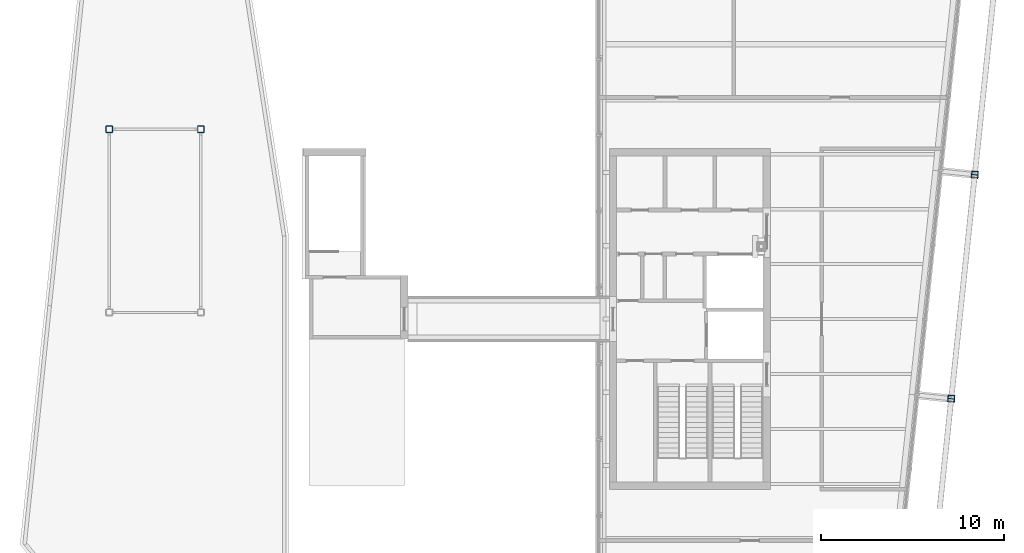
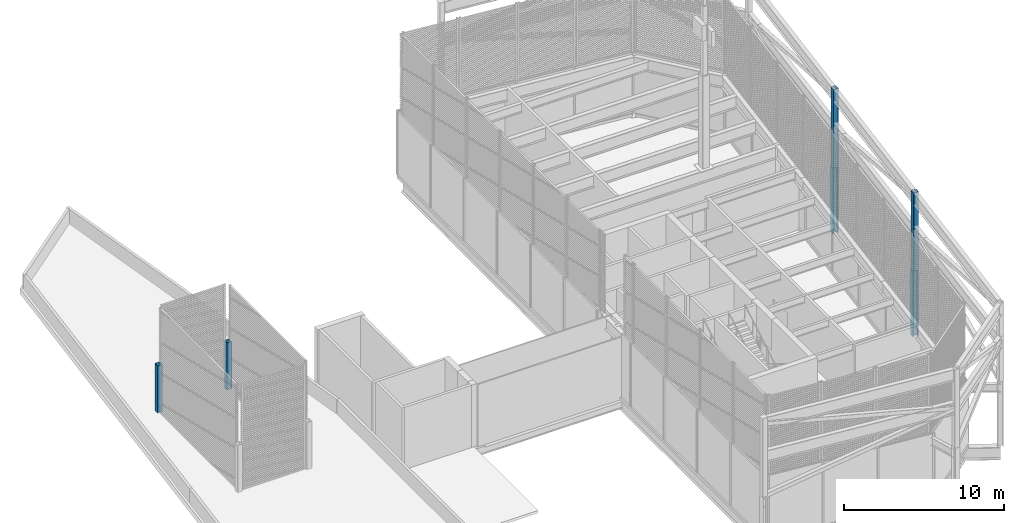
# One storey, part 2 of 11: 6 columns.
"""IFC4 building model written with IfcOpenShell, lengths in metres."""

from ifc_helpers import new_model, si_unit, direction, frame, origin, origin_2d, place, context, subcontext, project, spatial, hollow_rectangle, i_section, extrude, material, material_profile, profile_set, type_object, element, save


model = new_model("IFC4")

# Units and contexts
model_context = context("Model", 3, precision=1e-05, world=origin(), true_north=direction((0.0, 1.0)))
body_context = subcontext(model_context, "Body", "Model", "MODEL_VIEW")
ifc_project = project(units=[si_unit("LENGTHUNIT", "METRE"), si_unit("AREAUNIT", "SQUARE_METRE"), si_unit("VOLUMEUNIT", "CUBIC_METRE"), si_unit("PLANEANGLEUNIT", "RADIAN"), si_unit("MASSUNIT", "GRAM", prefix="KILO")], contexts=[model_context])

# Site, building, storey
site_placement = place(None, origin())
site = spatial("IfcSite", under=ifc_project, at=site_placement, CompositionType="ELEMENT")
building_placement = place(site_placement, origin())
building = spatial("IfcBuilding", under=site, at=building_placement, Name="Millrace Tower", CompositionType="ELEMENT")
storey_placement = place(building_placement, frame((0.0, 0.0, 357.10009765625)))
storey = spatial("IfcBuildingStorey", under=building, at=storey_placement, Name="L82", CompositionType="ELEMENT", Elevation=357.10009765625)

# Columns
ifc_material_1 = material(Name="Steel ASTM A500 Grade C", Category="steel")
ifc_material_profile_1 = material_profile(ifc_material_1, hollow_rectangle(XDim=0.355712890625, YDim=0.355712890625, WallThickness=0.015869140625, InnerFilletRadius=0.008056640625, OuterFilletRadius=0.02392578125, at=origin_2d()))
ifc_profile_set_1 = profile_set([ifc_material_profile_1], Name="Steel ASTM A500 Grade C")
column_type_1 = type_object("IfcColumnType", Name="CROWN FRAME post HSS14x14x5/8", PredefinedType="COLUMN", material=ifc_profile_set_1)
for number, where, z_axis, x_axis, name in (
    (1, (-16.814208984375, 10.363037109375, 1.419921875), (0.0, 0.0, 1.0), (1.0, 0.0, 0.0), "CROWN FRAME lantern post 3"),
    (2, (-21.814208984375, 10.363037109375, 1.419921875), (0.0, 0.0, 1.0), (1.0, 0.0, 0.0), "CROWN FRAME lantern post 4"),
):
    element("IfcColumn", number, at=place(storey_placement, frame(where, z_axis=z_axis, x_axis=x_axis)), inside=storey, type_object=column_type_1, Name=name, PredefinedType="COLUMN", context=body_context, shape_type="SweptSolid", body=[
        extrude(hollow_rectangle(XDim=0.355712890625, YDim=0.355712890625, WallThickness=0.015869140625, InnerFilletRadius=0.008056640625, OuterFilletRadius=0.02392578125, at=origin_2d()), origin(), (0.0, 0.0, 1.0), 3.580078125),
    ])
for number, where, z_axis, x_axis, name in (
    (3, (24.171630859375, -4.353271484375, 5.0), (0.0, 0.0, 1.0), (1.0, 0.0, 0.0), "CROWN FRAME post E.4"),
    (4, (25.457275390625, 7.879150390625, 5.0), (0.0, 0.0, 1.0), (1.0, 0.0, 0.0), "CROWN FRAME post E.5"),
):
    element("IfcColumn", number, at=place(storey_placement, frame(where, z_axis=z_axis, x_axis=x_axis)), inside=storey, type_object=column_type_1, Name=name, PredefinedType="COLUMN", context=body_context, shape_type="SweptSolid", body=[
        extrude(hollow_rectangle(XDim=0.355712890625, YDim=0.355712890625, WallThickness=0.015869140625, InnerFilletRadius=0.008056640625, OuterFilletRadius=0.02392578125, at=origin_2d()), origin(), (0.0, 0.0, 1.0), 6.0),
    ])
ifc_material_2 = material(Name="Steel ASTM A913 Grade 65", Category="steel")
ifc_material_profile_2 = material_profile(ifc_material_2, i_section(OverallWidth=0.393798828125, OverallDepth=0.3759765625, WebThickness=0.017333984375, FlangeThickness=0.027587890625, FilletRadius=0.01513671875, at=origin_2d()))
ifc_profile_set_2 = profile_set([ifc_material_profile_2], Name="Steel ASTM A913 Grade 65")
column_type_2 = type_object("IfcColumnType", Name="Exoskeleton column W14x145", PredefinedType="COLUMN", material=ifc_profile_set_2)
for number, where, z_axis, x_axis, name in (
    (5, (24.171630859375, -4.353271484375, 0.0), (0.0, 0.0, 1.0), (0.104528445407, 0.994521897246, 0.0), "COL-E-L82-X07"),
    (6, (25.457275390625, 7.879150390625, 0.0), (0.0, 0.0, 1.0), (0.104528445407, 0.994521897246, 0.0), "COL-E-L82-X08"),
):
    element("IfcColumn", number, at=place(storey_placement, frame(where, z_axis=z_axis, x_axis=x_axis)), inside=storey, type_object=column_type_2, Name=name, PredefinedType="COLUMN", context=body_context, shape_type="SweptSolid", body=[
        extrude(i_section(OverallWidth=0.393798828125, OverallDepth=0.3759765625, WebThickness=0.017333984375, FlangeThickness=0.027587890625, FilletRadius=0.01513671875, at=origin_2d()), origin(), (0.0, 0.0, 1.0), 5.0),
    ])

save(model, "model.ifc")
